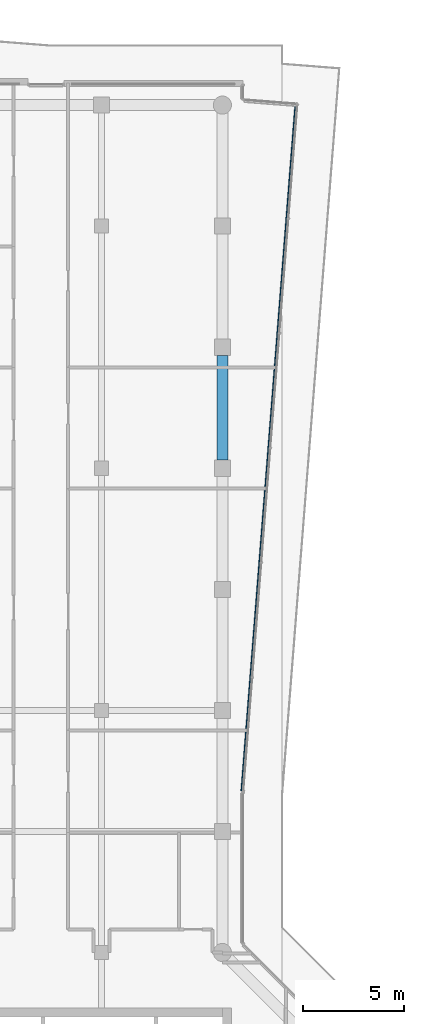
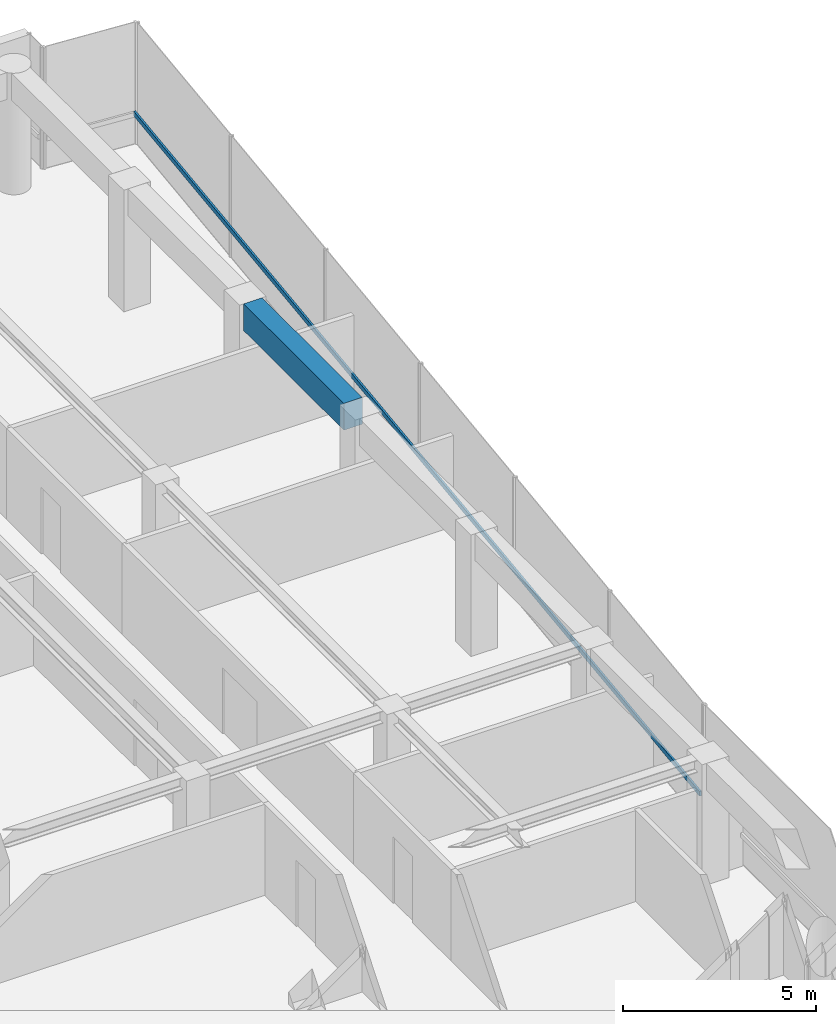
# One storey, part 13 of 23: 1 beam, 1 member, 1 element without a shape of its own.
"""IFC4 building model written with IfcOpenShell, lengths in metres."""

from ifc_helpers import new_model, si_unit, direction, frame, origin, origin_2d, place, context, subcontext, project, spatial, rectangle, extrude, material, layer, layer_set, material_profile, profile_set, type_object, element, aggregate, save


model = new_model("IFC4")

# Units and contexts
model_context = context("Model", 3, precision=1e-05, world=origin(), true_north=direction((0.0, 1.0)))
body_context = subcontext(model_context, "Body", "Model", "MODEL_VIEW")
ifc_project = project(units=[si_unit("LENGTHUNIT", "METRE"), si_unit("AREAUNIT", "SQUARE_METRE"), si_unit("VOLUMEUNIT", "CUBIC_METRE"), si_unit("PLANEANGLEUNIT", "RADIAN"), si_unit("MASSUNIT", "GRAM", prefix="KILO")], contexts=[model_context])

# Site, building, storey
site_placement = place(None, origin())
site = spatial("IfcSite", under=ifc_project, at=site_placement, CompositionType="ELEMENT")
building_placement = place(site_placement, origin())
building = spatial("IfcBuilding", under=site, at=building_placement, Name="Welwitschia Terrace Campus", CompositionType="ELEMENT")
storey_placement = place(building_placement, frame((0.0, 0.0, 247.39990234375)))
storey = spatial("IfcBuildingStorey", under=building, at=storey_placement, Name="L55", CompositionType="ELEMENT", Elevation=247.39990234375)

# Beam
ifc_material_1 = material(Name="Concrete C50/60", Category="concrete")
ifc_material_profile_1 = material_profile(ifc_material_1, rectangle(XDim=0.550048828125, YDim=0.85009765625, at=origin_2d()))
ifc_profile_set_1 = profile_set([ifc_material_profile_1], Name="Concrete C50/60")
beam_type = type_object("IfcBeamType", Name="Ring spandrel 550x850", PredefinedType="SPANDREL", material=ifc_profile_set_1)
beam_placement = place(storey_placement, frame((24.0, 52.400390625, 3.425048828125), z_axis=(0.0, 1.0, 0.0), x_axis=(-1.0, 0.0, 0.0)))
element("IfcBeam", 1, at=beam_placement, inside=storey, type_object=beam_type, Name="Spandrel SP3", PredefinedType="SPANDREL", context=body_context, shape_type="SweptSolid", body=[
    extrude(rectangle(XDim=0.550048828125, YDim=0.85009765625, at=origin_2d()), origin(), (0.0, 0.0, 1.0), 5.19921875),
])

# Curtain wall, member
ifc_material_2 = material(Name="Bronze anodised aluminium", Category="aluminium")
ifc_layer = layer(ifc_material_2, 0.1201171875)
ifc_layer_set = layer_set([ifc_layer], Name="Bronze anodised aluminium")
curtain_wall_type = type_object("IfcCurtainWallType", Name="Curtain wall CW2 tower 6000", PredefinedType="NOTDEFINED", material=ifc_layer_set)
curtain_wall_placement = place(storey_placement, origin())
curtain_wall = element("IfcCurtainWall", 2, at=curtain_wall_placement, inside=storey, type_object=curtain_wall_type, Name="CW L55.8.0", PredefinedType="NOTDEFINED")
ifc_material_3 = material(Name="Bronze anodised aluminium", Category="aluminium")
ifc_material_profile_2 = material_profile(ifc_material_3, rectangle(XDim=0.06005859375, YDim=0.14990234375, at=origin_2d()))
ifc_profile_set_2 = profile_set([ifc_material_profile_2], Name="Bronze anodised aluminium")
member_type = type_object("IfcMemberType", Name="Transom 60x150", PredefinedType="USERDEFINED", material=ifc_profile_set_2)
member_placement = place(storey_placement, frame((24.945068359375, 36.0205078125, 1.0), z_axis=(0.078454483375, 0.996917696722, 0.0), x_axis=(-0.996917696722, 0.078454483375, 0.0)))
member = element("IfcMember", 3, at=member_placement, type_object=member_type, Name="Transom L55.8.0", ObjectType="TRANSOM", PredefinedType="USERDEFINED", context=body_context, shape_type="SweptSolid", body=[
    extrude(rectangle(XDim=0.06005859375, YDim=0.14990234375, at=origin_2d()), origin(), (0.0, 0.0, 1.0), 34.08740234375),
])
aggregate(curtain_wall, [member])

save(model, "model.ifc")
